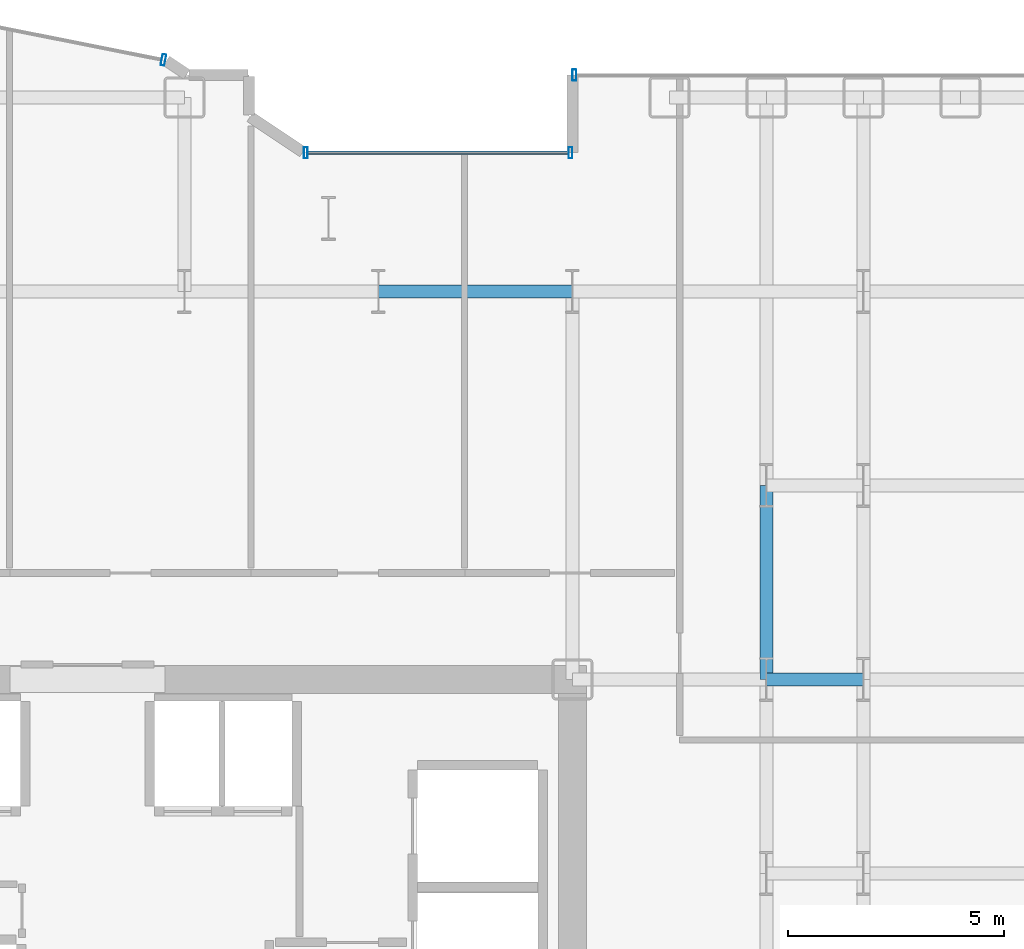
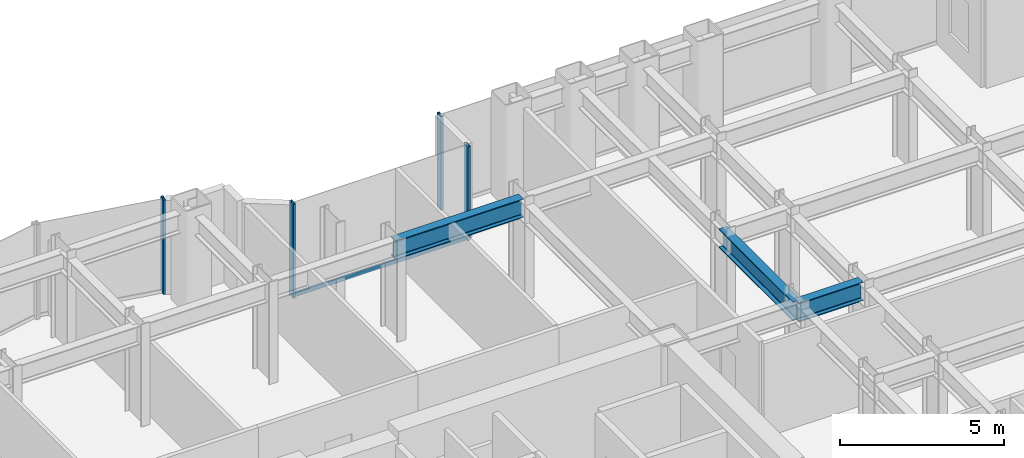
# One storey, part 12 of 26: 5 members, 3 beams, 3 elements without a shape of their own.
"""IFC4 building model written with IfcOpenShell, lengths in metres."""

from ifc_helpers import new_model, si_unit, direction, frame, origin, origin_2d, place, context, subcontext, project, spatial, hollow_rectangle, i_section, extrude, source, transform, mapped, material, layer, layer_set, material_profile, profile_set, type_object, element, aggregate, save


model = new_model("IFC4")

# Units and contexts
model_context = context("Model", 3, precision=1e-05, world=origin(), true_north=direction((0.0, 1.0)))
body_context = subcontext(model_context, "Body", "Model", "MODEL_VIEW")
ifc_project = project(units=[si_unit("LENGTHUNIT", "METRE"), si_unit("AREAUNIT", "SQUARE_METRE"), si_unit("VOLUMEUNIT", "CUBIC_METRE"), si_unit("PLANEANGLEUNIT", "RADIAN"), si_unit("MASSUNIT", "GRAM", prefix="KILO")], contexts=[model_context])

# Site, building, storey
site_placement = place(None, origin())
site = spatial("IfcSite", under=ifc_project, at=site_placement, CompositionType="ELEMENT")
building_placement = place(site_placement, origin())
building = spatial("IfcBuilding", under=site, at=building_placement, Name="Nefas-Gora Pilgrimage Tower", CompositionType="ELEMENT")
storey_placement = place(building_placement, frame((0.0, 0.0, 82.39990234375)))
storey = spatial("IfcBuildingStorey", under=building, at=storey_placement, Name="L19", CompositionType="ELEMENT", Elevation=82.39990234375)

# Beams
ifc_material_1 = material(Name="Steel S355", Category="steel")
ifc_material_profile_1 = material_profile(ifc_material_1, i_section(OverallWidth=0.300048828125, OverallDepth=0.699951171875, WebThickness=0.01708984375, FlangeThickness=0.031982421875, FilletRadius=0.027099609375, at=origin_2d()), Name="HEB 700")
ifc_profile_set_1 = profile_set([ifc_material_profile_1], Name="Steel S355")
beam_type = type_object("IfcBeamType", Name="BM-GIR-HEB700", PredefinedType="BEAM", material=ifc_profile_set_1)
shared_shape_1 = source(origin(), body_context, "Body", "SweptSolid", [
    extrude(i_section(OverallWidth=0.300048828125, OverallDepth=0.699951171875, WebThickness=0.01708984375, FlangeThickness=0.031982421875, FilletRadius=0.027099609375, at=origin_2d()), origin(), (0.0, 0.0, 1.0), 4.5),
])
for number, where, z_axis, x_axis, name in (
    (1, (6.75, 18.0, 3.150146484375), (1.0, 0.0, 0.0), (0.0, 1.0, 0.0), "L19 G-02 beam"),
    (2, (15.75, 9.0, 3.150146484375), (0.0, 1.0, 0.0), (-1.0, 0.0, 0.0), "L19 G-02 beam"),
):
    element("IfcBeam", number, at=place(storey_placement, frame(where, z_axis=z_axis, x_axis=x_axis)), inside=storey, type_object=beam_type, Name=name, PredefinedType="BEAM", context=body_context, shape_type="MappedRepresentation", body=[
        mapped(shared_shape_1, transform((0.0, 0.0, 0.0), x_axis=(1.0, 0.0, 0.0), y_axis=(0.0, 1.0, 0.0), z_axis=(0.0, 0.0, 1.0), scale=1.0)),
    ])
shared_shape_2 = source(origin(), body_context, "Body", "SweptSolid", [
    extrude(i_section(OverallWidth=0.300048828125, OverallDepth=0.699951171875, WebThickness=0.01708984375, FlangeThickness=0.031982421875, FilletRadius=0.027099609375, at=origin_2d()), origin(), (0.0, 0.0, 1.0), 2.25),
])
beam_placement = place(storey_placement, frame((15.75, 9.0, 3.150146484375), z_axis=(1.0, 0.0, 0.0), x_axis=(0.0, 1.0, 0.0)))
element("IfcBeam", 3, at=beam_placement, inside=storey, type_object=beam_type, Name="L19 G-02 beam", PredefinedType="BEAM", context=body_context, shape_type="MappedRepresentation", body=[
    mapped(shared_shape_2, transform((0.0, 0.0, 0.0), x_axis=(1.0, 0.0, 0.0), y_axis=(0.0, 1.0, 0.0), z_axis=(0.0, 0.0, 1.0), scale=1.0)),
])

# Curtain wall, members
ifc_material_2 = material(Name="Dark ceramic-fritted solar-control aluminium-glass curtain wall", Category="aluminium")
ifc_layer_1 = layer(ifc_material_2, 0.219970703125)
ifc_layer_set_1 = layer_set([ifc_layer_1], Name="Dark ceramic-fritted solar-control aluminium-glass curtain wall")
curtain_wall_type_1 = type_object("IfcCurtainWallType", Name="CW-SYS-5", PredefinedType="NOTDEFINED", material=ifc_layer_set_1)
curtain_wall_1_placement = place(storey_placement, origin())
curtain_wall_1 = element("IfcCurtainWall", 4, at=curtain_wall_1_placement, inside=storey, type_object=curtain_wall_type_1, Name="L19 Unitised Curtain Wall CW5", PredefinedType="NOTDEFINED")
ifc_material_3 = material(Name="Anodised architectural aluminium", Category="aluminium")
ifc_material_profile_2 = material_profile(ifc_material_3, hollow_rectangle(XDim=0.080078125, YDim=0.159912109375, WallThickness=0.00439453125, InnerFilletRadius=0.00439453125, OuterFilletRadius=0.009033203125, at=origin_2d()), Name="ALU TRANSOM 80x160")
ifc_profile_set_2 = profile_set([ifc_material_profile_2], Name="Anodised architectural aluminium")
member_type_1 = type_object("IfcMemberType", Name="CWM-TRN-5", PredefinedType="USERDEFINED", material=ifc_profile_set_2)
shared_shape_3 = source(origin(), body_context, "Body", "SweptSolid", [
    extrude(hollow_rectangle(XDim=0.080078125, YDim=0.159912109375, WallThickness=0.00439453125, InnerFilletRadius=0.00439453125, OuterFilletRadius=0.009033203125, at=origin_2d()), origin(), (0.0, 0.0, 1.0), 6.052001953125),
])
member_1_placement = place(storey_placement, frame((11.159912109375, 21.219970703125, 0.050048828125), z_axis=(-1.0, 0.0, 0.0), x_axis=(0.0, -1.0, 0.0)))
member_1 = element("IfcMember", 5, at=member_1_placement, type_object=member_type_1, Name="CW5 Spandrel Transom", ObjectType="TRANSOM", PredefinedType="USERDEFINED", context=body_context, shape_type="MappedRepresentation", body=[
    mapped(shared_shape_3, transform((0.0, 0.0, 0.0), x_axis=(1.0, 0.0, 0.0), y_axis=(0.0, 1.0, 0.0), z_axis=(0.0, 0.0, 1.0), scale=1.0)),
])
ifc_material_profile_3 = material_profile(ifc_material_3, hollow_rectangle(XDim=0.090087890625, YDim=0.260009765625, WallThickness=0.006103515625, InnerFilletRadius=0.006103515625, OuterFilletRadius=0.011962890625, at=origin_2d()), Name="ALU MULLION 90x260")
ifc_profile_set_3 = profile_set([ifc_material_profile_3], Name="Anodised architectural aluminium")
member_type_2 = type_object("IfcMemberType", Name="CWM-MUL-5", PredefinedType="MULLION", material=ifc_profile_set_3)
shared_shape_4 = source(origin(), body_context, "Body", "SweptSolid", [
    extrude(hollow_rectangle(XDim=0.090087890625, YDim=0.260009765625, WallThickness=0.006103515625, InnerFilletRadius=0.006103515625, OuterFilletRadius=0.011962890625, at=origin_2d()), origin(), (0.0, 0.0, 1.0), 3.5),
])
member_2_placement = place(storey_placement, frame((11.205078125, 21.219970703125, 0.0), z_axis=(0.0, 0.0, 1.0), x_axis=(-1.0, 0.0, 0.0)))
member_2 = element("IfcMember", 6, at=member_2_placement, type_object=member_type_2, Name="CW5 Mullion 1", PredefinedType="MULLION", context=body_context, shape_type="MappedRepresentation", body=[
    mapped(shared_shape_4, transform((0.0, 0.0, 0.0), x_axis=(1.0, 0.0, 0.0), y_axis=(0.0, 1.0, 0.0), z_axis=(0.0, 0.0, 1.0), scale=1.0)),
])
member_3_placement = place(storey_placement, frame((5.06298828125, 21.219970703125, 0.0), z_axis=(0.0, 0.0, 1.0), x_axis=(-1.0, 0.0, 0.0)))
member_3 = element("IfcMember", 7, at=member_3_placement, type_object=member_type_2, Name="CW5 Mullion 2", PredefinedType="MULLION", context=body_context, shape_type="MappedRepresentation", body=[
    mapped(shared_shape_4, transform((0.0, 0.0, 0.0), x_axis=(1.0, 0.0, 0.0), y_axis=(0.0, 1.0, 0.0), z_axis=(0.0, 0.0, 1.0), scale=1.0)),
])
aggregate(curtain_wall_1, [member_2, member_3, member_1])

# Curtain wall, member
curtain_wall_2_placement = place(storey_placement, origin())
curtain_wall_2 = element("IfcCurtainWall", 8, at=curtain_wall_2_placement, inside=storey, type_object=curtain_wall_type_1, Name="L19 Unitised Curtain Wall CW5", PredefinedType="NOTDEFINED")
member_4_placement = place(storey_placement, frame((1.76318359375, 23.3740234375, 0.0), z_axis=(0.0, 0.0, 1.0), x_axis=(-0.980782896852, 0.195102304554, 0.0)))
member_4 = element("IfcMember", 9, at=member_4_placement, type_object=member_type_2, Name="CW5 Mullion 1", PredefinedType="MULLION", context=body_context, shape_type="MappedRepresentation", body=[
    mapped(shared_shape_4, transform((0.0, 0.0, 0.0), x_axis=(1.0, 0.0, 0.0), y_axis=(0.0, 1.0, 0.0), z_axis=(0.0, 0.0, 1.0), scale=1.0)),
])
aggregate(curtain_wall_2, [member_4])

ifc_layer_2 = layer(ifc_material_2, 0.219970703125)
ifc_layer_set_2 = layer_set([ifc_layer_2], Name="Dark ceramic-fritted solar-control aluminium-glass curtain wall")
curtain_wall_type_2 = type_object("IfcCurtainWallType", Name="CW-SYS-2", PredefinedType="NOTDEFINED", material=ifc_layer_set_2)
curtain_wall_3_placement = place(storey_placement, origin())
curtain_wall_3 = element("IfcCurtainWall", 10, at=curtain_wall_3_placement, inside=storey, type_object=curtain_wall_type_2, Name="L19 Unitised Curtain Wall CW2", PredefinedType="NOTDEFINED")
ifc_material_profile_4 = material_profile(ifc_material_3, hollow_rectangle(XDim=0.090087890625, YDim=0.260009765625, WallThickness=0.006103515625, InnerFilletRadius=0.006103515625, OuterFilletRadius=0.011962890625, at=origin_2d()), Name="ALU MULLION 90x260")
ifc_profile_set_4 = profile_set([ifc_material_profile_4], Name="Anodised architectural aluminium")
member_type_3 = type_object("IfcMemberType", Name="CWM-MUL-2", PredefinedType="MULLION", material=ifc_profile_set_4)
shared_shape_5 = source(origin(), body_context, "Body", "SweptSolid", [
    extrude(hollow_rectangle(XDim=0.090087890625, YDim=0.260009765625, WallThickness=0.006103515625, InnerFilletRadius=0.006103515625, OuterFilletRadius=0.011962890625, at=origin_2d()), origin(), (0.0, 0.0, 1.0), 3.5),
])
member_5_placement = place(storey_placement, frame((11.294921875, 23.02001953125, 0.0), z_axis=(0.0, 0.0, 1.0), x_axis=(-1.0, 0.0, 0.0)))
member_5 = element("IfcMember", 11, at=member_5_placement, type_object=member_type_3, Name="CW2 Mullion 2", PredefinedType="MULLION", context=body_context, shape_type="MappedRepresentation", body=[
    mapped(shared_shape_5, transform((0.0, 0.0, 0.0), x_axis=(1.0, 0.0, 0.0), y_axis=(0.0, 1.0, 0.0), z_axis=(0.0, 0.0, 1.0), scale=1.0)),
])
aggregate(curtain_wall_3, [member_5])

save(model, "model.ifc")
